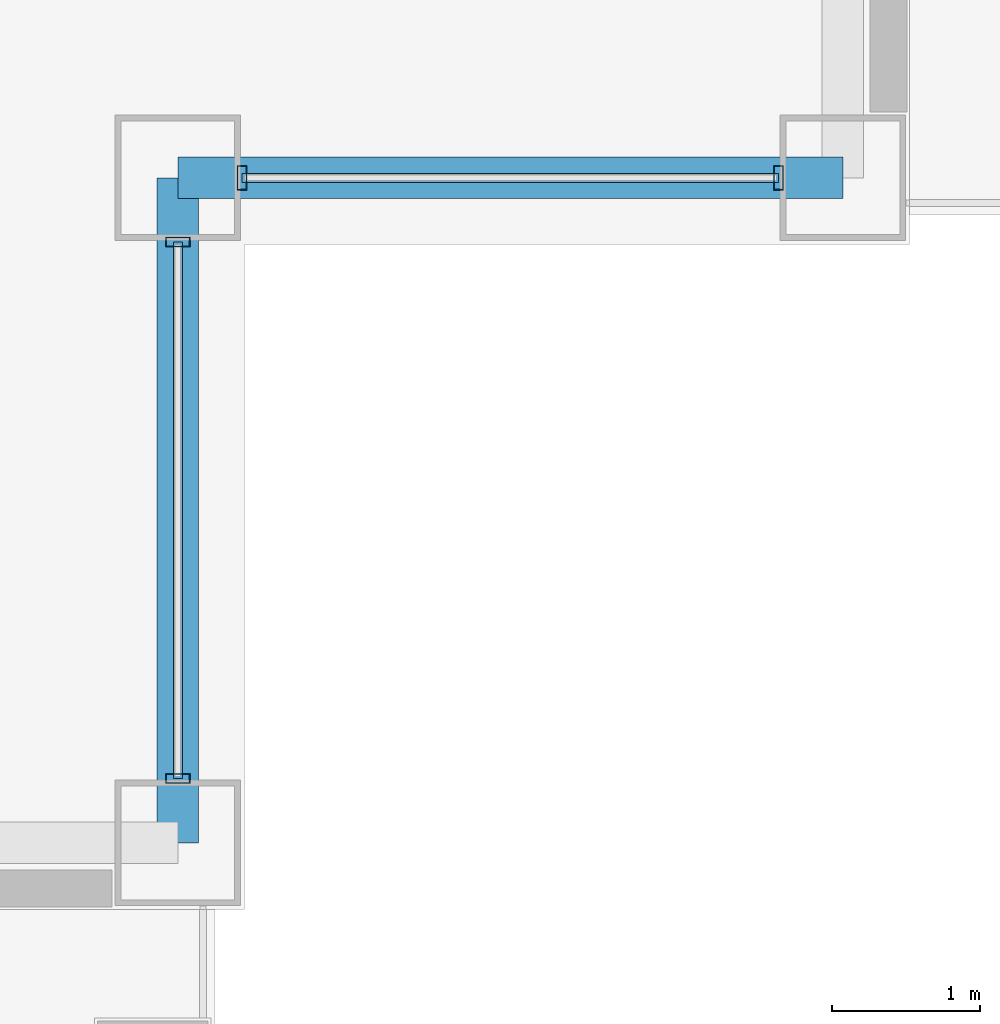
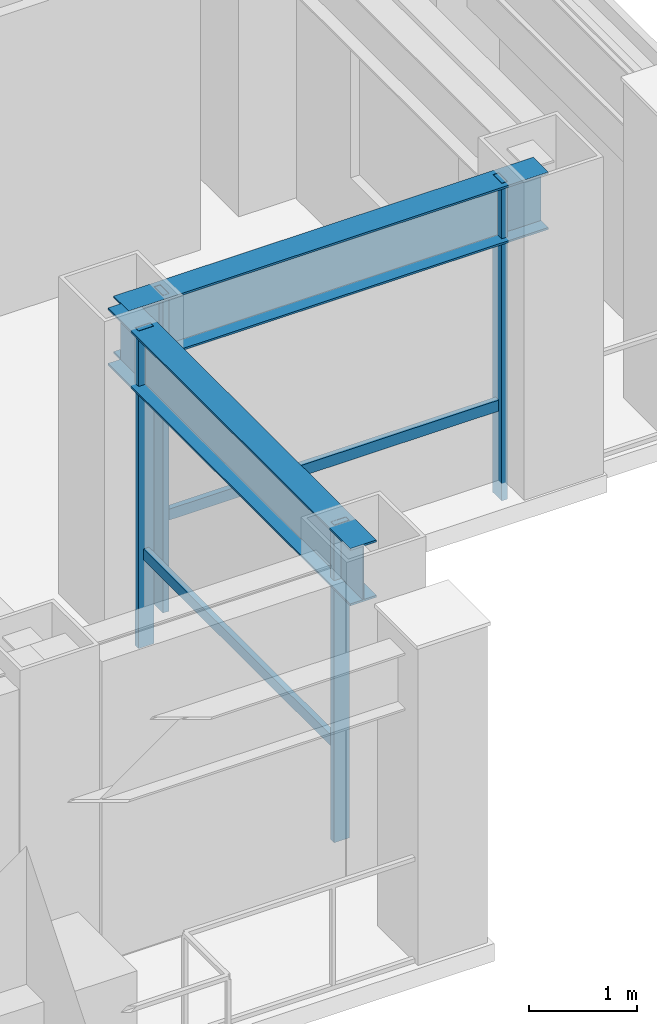
# One storey, part 12 of 29: 6 members, 2 beams, 2 elements without a shape of their own.
"""IFC4 building model written with IfcOpenShell, lengths in metres."""

from ifc_helpers import new_model, si_unit, direction, frame, origin, origin_2d, place, context, subcontext, project, spatial, hollow_rectangle, i_section, extrude, material, layer, layer_set, material_profile, profile_set, type_object, element, aggregate, save


model = new_model("IFC4")

# Units and contexts
model_context = context("Model", 3, precision=1e-05, world=origin(), true_north=direction((0.0, 1.0)))
body_context = subcontext(model_context, "Body", "Model", "MODEL_VIEW")
ifc_project = project(units=[si_unit("LENGTHUNIT", "METRE"), si_unit("AREAUNIT", "SQUARE_METRE"), si_unit("VOLUMEUNIT", "CUBIC_METRE"), si_unit("PLANEANGLEUNIT", "RADIAN"), si_unit("MASSUNIT", "GRAM", prefix="KILO")], contexts=[model_context])

# Site, building, storey
site_placement = place(None, origin())
site = spatial("IfcSite", under=ifc_project, at=site_placement, CompositionType="ELEMENT")
building_placement = place(site_placement, origin())
building = spatial("IfcBuilding", under=site, at=building_placement, Name="Brelmoor Portico Tower", CompositionType="ELEMENT")
storey_placement = place(building_placement, frame((0.0, 0.0, 95.39990234375)))
storey = spatial("IfcBuildingStorey", under=building, at=storey_placement, Name="L24", CompositionType="ELEMENT", Elevation=95.39990234375)

# Beams
ifc_material_1 = material(Name="Steel Q355B", Category="steel")
ifc_material_profile_1 = material_profile(ifc_material_1, i_section(OverallWidth=0.280029296875, OverallDepth=0.64990234375, WebThickness=0.012939453125, FlangeThickness=0.02197265625, at=origin_2d()), Name="HN 650x280x13x22")
ifc_profile_set_1 = profile_set([ifc_material_profile_1], Name="Steel Q355B")
beam_type = type_object("IfcBeamType", Name="BM-SP-650", PredefinedType="SPANDREL", material=ifc_profile_set_1)
for number, where, z_axis, x_axis, name in (
    (1, (18.050048828125, -15.050048828125, 3.0751953125), (1.0, 0.0, 0.0), (0.0, 1.0, 0.0), "L24 Perimeter Spandrel Beam SP-07"),
    (2, (18.050048828125, -19.550048828125, 3.0751953125), (0.0, 1.0, 0.0), (-1.0, 0.0, 0.0), "L24 Perimeter Spandrel Beam SP-20"),
):
    element("IfcBeam", number, at=place(storey_placement, frame(where, z_axis=z_axis, x_axis=x_axis)), inside=storey, type_object=beam_type, Name=name, PredefinedType="SPANDREL", context=body_context, shape_type="SweptSolid", body=[
        extrude(i_section(OverallWidth=0.280029296875, OverallDepth=0.64990234375, WebThickness=0.012939453125, FlangeThickness=0.02197265625, at=origin_2d()), origin(), (0.0, 0.0, 1.0), 4.5),
    ])

# Curtain wall, members
ifc_material_2 = material(Name="Anodised Aluminium Alloy 6063-T6", Category="aluminium")
ifc_layer = layer(ifc_material_2, 0.179931640625)
ifc_layer_set = layer_set([ifc_layer], Name="Anodised Aluminium Alloy 6063-T6")
curtain_wall_type = type_object("IfcCurtainWallType", Name="CW-NOTCH-CHAMFER", PredefinedType="NOTDEFINED", material=ifc_layer_set)
curtain_wall_1_placement = place(storey_placement, origin())
curtain_wall_1 = element("IfcCurtainWall", 3, at=curtain_wall_1_placement, inside=storey, type_object=curtain_wall_type, Name="L24 Curtain Wall CWN-L24-SEH", PredefinedType="NOTDEFINED")
ifc_material_profile_2 = material_profile(ifc_material_2, hollow_rectangle(XDim=0.06494140625, YDim=0.1650390625, WallThickness=0.00390625, at=origin_2d()), Name="ALU MULLION 65x165")
ifc_profile_set_2 = profile_set([ifc_material_profile_2], Name="Anodised Aluminium Alloy 6063-T6")
member_type_1 = type_object("IfcMemberType", Name="MB-CW-MULL-165", PredefinedType="MULLION", material=ifc_profile_set_2)
member_1_placement = place(storey_placement, frame((18.485107421875, -15.050048828125, -0.199951171875), z_axis=(0.0, 0.0, 1.0), x_axis=(1.0, 0.0, 0.0)))
member_1 = element("IfcMember", 4, at=member_1_placement, type_object=member_type_1, Name="CWN-L24-SEH Mullion 00", PredefinedType="MULLION", context=body_context, shape_type="SweptSolid", body=[
    extrude(hollow_rectangle(XDim=0.06494140625, YDim=0.1650390625, WallThickness=0.00390625, at=origin_2d()), origin(), (0.0, 0.0, 1.0), 3.60009765625),
])
member_2_placement = place(storey_placement, frame((22.114990234375, -15.050048828125, -0.199951171875), z_axis=(0.0, 0.0, 1.0), x_axis=(1.0, 0.0, 0.0)))
member_2 = element("IfcMember", 5, at=member_2_placement, type_object=member_type_1, Name="CWN-L24-SEH Mullion 01", PredefinedType="MULLION", context=body_context, shape_type="SweptSolid", body=[
    extrude(hollow_rectangle(XDim=0.06494140625, YDim=0.1650390625, WallThickness=0.00390625, at=origin_2d()), origin(), (0.0, 0.0, 1.0), 3.60009765625),
])

curtain_wall_2_placement = place(storey_placement, origin())
curtain_wall_2 = element("IfcCurtainWall", 6, at=curtain_wall_2_placement, inside=storey, type_object=curtain_wall_type, Name="L24 Curtain Wall CWN-L24-SEV", PredefinedType="NOTDEFINED")
member_3_placement = place(storey_placement, frame((18.050048828125, -19.114990234375, -0.199951171875), z_axis=(0.0, 0.0, 1.0), x_axis=(0.0, 1.0, 0.0)))
member_3 = element("IfcMember", 7, at=member_3_placement, type_object=member_type_1, Name="CWN-L24-SEV Mullion 00", PredefinedType="MULLION", context=body_context, shape_type="SweptSolid", body=[
    extrude(hollow_rectangle(XDim=0.06494140625, YDim=0.1650390625, WallThickness=0.00390625, at=origin_2d()), origin(), (0.0, 0.0, 1.0), 3.60009765625),
])
member_4_placement = place(storey_placement, frame((18.050048828125, -15.485107421875, -0.199951171875), z_axis=(0.0, 0.0, 1.0), x_axis=(0.0, 1.0, 0.0)))
member_4 = element("IfcMember", 8, at=member_4_placement, type_object=member_type_1, Name="CWN-L24-SEV Mullion 01", PredefinedType="MULLION", context=body_context, shape_type="SweptSolid", body=[
    extrude(hollow_rectangle(XDim=0.06494140625, YDim=0.1650390625, WallThickness=0.00390625, at=origin_2d()), origin(), (0.0, 0.0, 1.0), 3.60009765625),
])

# Member
ifc_material_profile_3 = material_profile(ifc_material_2, hollow_rectangle(XDim=0.06005859375, YDim=0.125, WallThickness=0.00341796875, at=origin_2d()), Name="ALU TRANSOM 60x125")
ifc_profile_set_3 = profile_set([ifc_material_profile_3], Name="Anodised Aluminium Alloy 6063-T6")
member_type_2 = type_object("IfcMemberType", Name="MB-CW-TRAN-125", PredefinedType="USERDEFINED", material=ifc_profile_set_3)
member_5_placement = place(storey_placement, frame((18.485107421875, -15.050048828125, 0.85009765625), z_axis=(1.0, 0.0, 0.0), x_axis=(0.0, 1.0, 0.0)))
member_5 = element("IfcMember", 9, at=member_5_placement, type_object=member_type_2, Name="CWN-L24-SEH Transom 1-00", ObjectType="TRANSOM", PredefinedType="USERDEFINED", context=body_context, shape_type="SweptSolid", body=[
    extrude(hollow_rectangle(XDim=0.06005859375, YDim=0.125, WallThickness=0.00341796875, at=origin_2d()), origin(), (0.0, 0.0, 1.0), 3.6298828125),
])

aggregate(curtain_wall_1, [member_1, member_2, member_5])

member_6_placement = place(storey_placement, frame((18.050048828125, -19.114990234375, 0.85009765625), z_axis=(0.0, 1.0, 0.0), x_axis=(-1.0, 0.0, 0.0)))
member_6 = element("IfcMember", 10, at=member_6_placement, type_object=member_type_2, Name="CWN-L24-SEV Transom 1-00", ObjectType="TRANSOM", PredefinedType="USERDEFINED", context=body_context, shape_type="SweptSolid", body=[
    extrude(hollow_rectangle(XDim=0.06005859375, YDim=0.125, WallThickness=0.00341796875, at=origin_2d()), origin(), (0.0, 0.0, 1.0), 3.6298828125),
])

aggregate(curtain_wall_2, [member_3, member_4, member_6])

save(model, "model.ifc")
